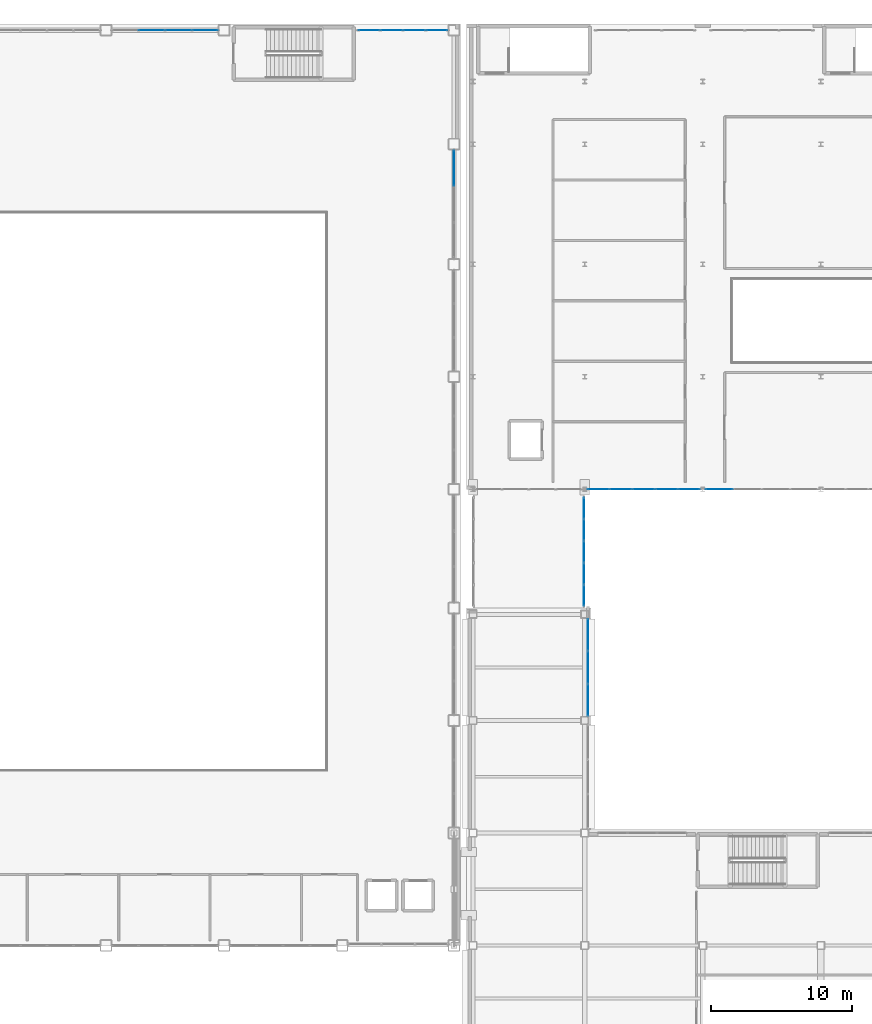
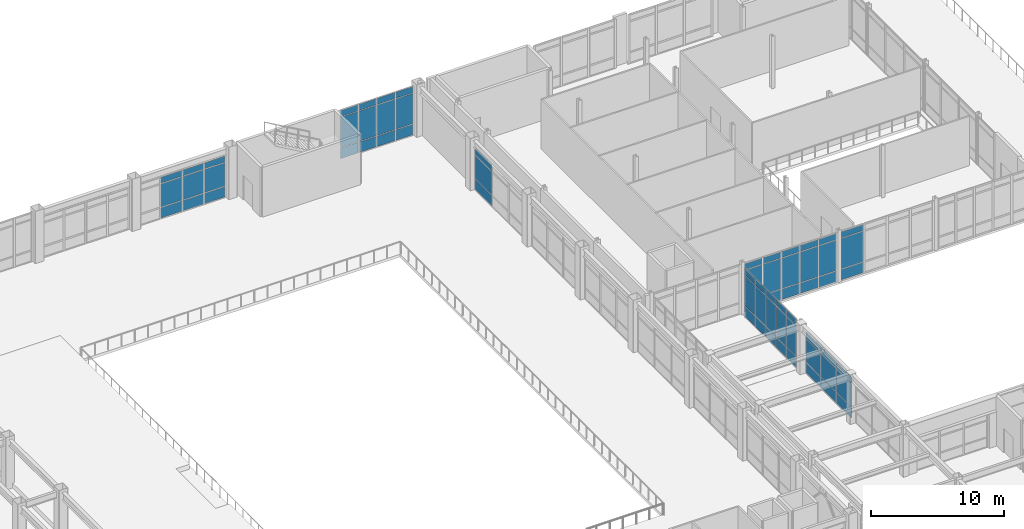
# One storey, part 122 of 154: 66 plates, 7 elements without a shape of their own.
"""IFC4 building model written with IfcOpenShell, lengths in metres."""

from ifc_helpers import new_model, si_unit, direction, frame, origin, origin_2d, place, context, subcontext, project, spatial, rectangle, extrude, material, layer, layer_set, type_object, element, aggregate, save


model = new_model("IFC4")

# Units and contexts
model_context = context("Model", 3, precision=1e-05, world=origin(), true_north=direction((0.0, 1.0)))
body_context = subcontext(model_context, "Body", "Model", "MODEL_VIEW")
ifc_project = project(units=[si_unit("LENGTHUNIT", "METRE"), si_unit("AREAUNIT", "SQUARE_METRE"), si_unit("VOLUMEUNIT", "CUBIC_METRE"), si_unit("PLANEANGLEUNIT", "RADIAN"), si_unit("MASSUNIT", "GRAM", prefix="KILO")], contexts=[model_context])

# Site, building, storey
site_placement = place(None, origin())
site = spatial("IfcSite", under=ifc_project, at=site_placement, CompositionType="ELEMENT")
building_placement = place(site_placement, origin())
building = spatial("IfcBuilding", under=site, at=building_placement, Name="Kazehara Bluff Congress Hotel", CompositionType="ELEMENT")
storey_placement = place(building_placement, frame((0.0, 0.0, 10.199951171875)))
storey = spatial("IfcBuildingStorey", under=building, at=storey_placement, Name="L02", CompositionType="ELEMENT", Elevation=10.199951171875)

# Curtain wall, plates
ifc_material_1 = material(Name="Anodised aluminium", Category="aluminium")
ifc_layer_1 = layer(ifc_material_1, 0.159912109375)
ifc_layer_set_1 = layer_set([ifc_layer_1], Name="Anodised aluminium")
curtain_wall_type_1 = type_object("IfcCurtainWallType", Name="TP-CW-10", PredefinedType="NOTDEFINED", material=ifc_layer_set_1)
curtain_wall_1_placement = place(storey_placement, origin())
curtain_wall_1 = element("IfcCurtainWall", 1, at=curtain_wall_1_placement, inside=storey, type_object=curtain_wall_type_1, Name="L02 curtain wall CW-10 CW-V1-L02-Y11355-3400", PredefinedType="NOTDEFINED")
ifc_material_2 = material(Name="Insulated low-E double glazing", Category="glass")
ifc_layer_2 = layer(ifc_material_2, 0.028076171875)
ifc_layer_set_2 = layer_set([ifc_layer_2], Name="Insulated low-E double glazing")
plate_type_1 = type_object("IfcPlateType", Name="TP-CWP-01", PredefinedType="CURTAIN_PANEL", material=ifc_layer_set_2)
plate_1_placement = place(storey_placement, frame((36.85009765625, 113.550048828125, 0.06494140625), z_axis=(0.0, 0.0, 1.0), x_axis=(1.0, 0.0, 0.0)))
plate_1 = element("IfcPlate", 2, at=plate_1_placement, type_object=plate_type_1, Name="CW-10 panel 2.1", PredefinedType="CURTAIN_PANEL", context=body_context, shape_type="SweptSolid", body=[
    extrude(rectangle(XDim=1.8349609375, YDim=0.028076171875, at=origin_2d()), origin(), (0.0, 0.0, 1.0), 0.952392578125),
])
plate_2_placement = place(storey_placement, frame((36.85009765625, 113.550048828125, 1.08251953125), z_axis=(0.0, 0.0, 1.0), x_axis=(1.0, 0.0, 0.0)))
plate_2 = element("IfcPlate", 3, at=plate_2_placement, type_object=plate_type_1, Name="CW-10 panel 2.2", PredefinedType="CURTAIN_PANEL", context=body_context, shape_type="SweptSolid", body=[
    extrude(rectangle(XDim=1.8349609375, YDim=0.028076171875, at=origin_2d()), origin(), (0.0, 0.0, 1.0), 2.1201171875),
])
plate_3_placement = place(storey_placement, frame((36.85009765625, 113.550048828125, 3.267578125), z_axis=(0.0, 0.0, 1.0), x_axis=(1.0, 0.0, 0.0)))
plate_3 = element("IfcPlate", 4, at=plate_3_placement, type_object=plate_type_1, Name="CW-10 panel 2.3", PredefinedType="CURTAIN_PANEL", context=body_context, shape_type="SweptSolid", body=[
    extrude(rectangle(XDim=1.8349609375, YDim=0.028076171875, at=origin_2d()), origin(), (0.0, 0.0, 1.0), 0.552490234375),
])
plate_4_placement = place(storey_placement, frame((38.75, 113.550048828125, 0.06494140625), z_axis=(0.0, 0.0, 1.0), x_axis=(1.0, 0.0, 0.0)))
plate_4 = element("IfcPlate", 5, at=plate_4_placement, type_object=plate_type_1, Name="CW-10 panel 3.1", PredefinedType="CURTAIN_PANEL", context=body_context, shape_type="SweptSolid", body=[
    extrude(rectangle(XDim=1.8349609375, YDim=0.028076171875, at=origin_2d()), origin(), (0.0, 0.0, 1.0), 0.952392578125),
])
plate_5_placement = place(storey_placement, frame((38.75, 113.550048828125, 1.08251953125), z_axis=(0.0, 0.0, 1.0), x_axis=(1.0, 0.0, 0.0)))
plate_5 = element("IfcPlate", 6, at=plate_5_placement, type_object=plate_type_1, Name="CW-10 panel 3.2", PredefinedType="CURTAIN_PANEL", context=body_context, shape_type="SweptSolid", body=[
    extrude(rectangle(XDim=1.8349609375, YDim=0.028076171875, at=origin_2d()), origin(), (0.0, 0.0, 1.0), 2.1201171875),
])
plate_6_placement = place(storey_placement, frame((38.75, 113.550048828125, 3.267578125), z_axis=(0.0, 0.0, 1.0), x_axis=(1.0, 0.0, 0.0)))
plate_6 = element("IfcPlate", 7, at=plate_6_placement, type_object=plate_type_1, Name="CW-10 panel 3.3", PredefinedType="CURTAIN_PANEL", context=body_context, shape_type="SweptSolid", body=[
    extrude(rectangle(XDim=1.8349609375, YDim=0.028076171875, at=origin_2d()), origin(), (0.0, 0.0, 1.0), 0.552490234375),
])
plate_7_placement = place(storey_placement, frame((40.6337890625, 113.550048828125, 0.06494140625), z_axis=(0.0, 0.0, 1.0), x_axis=(1.0, 0.0, 0.0)))
plate_7 = element("IfcPlate", 8, at=plate_7_placement, type_object=plate_type_1, Name="CW-10 panel 4.1", PredefinedType="CURTAIN_PANEL", context=body_context, shape_type="SweptSolid", body=[
    extrude(rectangle(XDim=1.802490234375, YDim=0.028076171875, at=origin_2d()), origin(), (0.0, 0.0, 1.0), 0.952392578125),
])
plate_8_placement = place(storey_placement, frame((40.6337890625, 113.550048828125, 1.08251953125), z_axis=(0.0, 0.0, 1.0), x_axis=(1.0, 0.0, 0.0)))
plate_8 = element("IfcPlate", 9, at=plate_8_placement, type_object=plate_type_1, Name="CW-10 panel 4.2", PredefinedType="CURTAIN_PANEL", context=body_context, shape_type="SweptSolid", body=[
    extrude(rectangle(XDim=1.802490234375, YDim=0.028076171875, at=origin_2d()), origin(), (0.0, 0.0, 1.0), 2.1201171875),
])
plate_9_placement = place(storey_placement, frame((40.6337890625, 113.550048828125, 3.267578125), z_axis=(0.0, 0.0, 1.0), x_axis=(1.0, 0.0, 0.0)))
plate_9 = element("IfcPlate", 10, at=plate_9_placement, type_object=plate_type_1, Name="CW-10 panel 4.3", PredefinedType="CURTAIN_PANEL", context=body_context, shape_type="SweptSolid", body=[
    extrude(rectangle(XDim=1.802490234375, YDim=0.028076171875, at=origin_2d()), origin(), (0.0, 0.0, 1.0), 0.552490234375),
])
aggregate(curtain_wall_1, [plate_1, plate_2, plate_3, plate_4, plate_5, plate_6, plate_7, plate_8, plate_9])

ifc_material_3 = material(Name="Anodised aluminium", Category="aluminium")
ifc_layer_3 = layer(ifc_material_3, 0.159912109375)
ifc_layer_set_3 = layer_set([ifc_layer_3], Name="Anodised aluminium")
curtain_wall_type_2 = type_object("IfcCurtainWallType", Name="TP-CW-24", PredefinedType="NOTDEFINED", material=ifc_layer_set_3)
curtain_wall_2_placement = place(storey_placement, origin())
curtain_wall_2 = element("IfcCurtainWall", 11, at=curtain_wall_2_placement, inside=storey, type_object=curtain_wall_type_2, Name="L02 curtain wall CW-24 CW-V1-L02-X5835-9730", PredefinedType="NOTDEFINED")
plate_10_placement = place(storey_placement, frame((58.35009765625, 103.7421875, 0.06494140625), z_axis=(0.0, 0.0, 1.0), x_axis=(0.0, 1.0, 0.0)))
plate_10 = element("IfcPlate", 12, at=plate_10_placement, type_object=plate_type_1, Name="CW-24 panel 3.1", PredefinedType="CURTAIN_PANEL", context=body_context, shape_type="SweptSolid", body=[
    extrude(rectangle(XDim=2.48583984375, YDim=0.028076171875, at=origin_2d()), origin(), (0.0, 0.0, 1.0), 0.952392578125),
])
plate_11_placement = place(storey_placement, frame((58.35009765625, 103.7421875, 1.08251953125), z_axis=(0.0, 0.0, 1.0), x_axis=(0.0, 1.0, 0.0)))
plate_11 = element("IfcPlate", 13, at=plate_11_placement, type_object=plate_type_1, Name="CW-24 panel 3.2", PredefinedType="CURTAIN_PANEL", context=body_context, shape_type="SweptSolid", body=[
    extrude(rectangle(XDim=2.48583984375, YDim=0.028076171875, at=origin_2d()), origin(), (0.0, 0.0, 1.0), 2.1201171875),
])
plate_12_placement = place(storey_placement, frame((58.35009765625, 103.7421875, 3.267578125), z_axis=(0.0, 0.0, 1.0), x_axis=(0.0, 1.0, 0.0)))
plate_12 = element("IfcPlate", 14, at=plate_12_placement, type_object=plate_type_1, Name="CW-24 panel 3.3", PredefinedType="CURTAIN_PANEL", context=body_context, shape_type="SweptSolid", body=[
    extrude(rectangle(XDim=2.48583984375, YDim=0.028076171875, at=origin_2d()), origin(), (0.0, 0.0, 1.0), 0.552490234375),
])
aggregate(curtain_wall_2, [plate_10, plate_11, plate_12])

ifc_material_4 = material(Name="Anodised aluminium", Category="aluminium")
ifc_layer_4 = layer(ifc_material_4, 0.159912109375)
ifc_layer_set_4 = layer_set([ifc_layer_4], Name="Anodised aluminium")
curtain_wall_type_3 = type_object("IfcCurtainWallType", Name="TP-CW-139", PredefinedType="NOTDEFINED", material=ifc_layer_set_4)
curtain_wall_3_placement = place(storey_placement, origin())
curtain_wall_3 = element("IfcCurtainWall", 15, at=curtain_wall_3_placement, inside=storey, type_object=curtain_wall_type_3, Name="L02 curtain wall CW-139 CW-ENC-V4-L02-6788-6822", PredefinedType="NOTDEFINED")
plate_13_placement = place(storey_placement, frame((67.8798828125, 70.5419921875, 0.06494140625), z_axis=(0.0, 0.0, 1.0), x_axis=(0.0, -1.0, 0.0)))
plate_13 = element("IfcPlate", 16, at=plate_13_placement, type_object=plate_type_1, Name="CW-139 panel 1.1", PredefinedType="CURTAIN_PANEL", context=body_context, shape_type="SweptSolid", body=[
    extrude(rectangle(XDim=2.23583984375, YDim=0.028076171875, at=origin_2d()), origin(), (0.0, 0.0, 1.0), 0.952392578125),
])
plate_14_placement = place(storey_placement, frame((67.8798828125, 70.5419921875, 1.08251953125), z_axis=(0.0, 0.0, 1.0), x_axis=(0.0, -1.0, 0.0)))
plate_14 = element("IfcPlate", 17, at=plate_14_placement, type_object=plate_type_1, Name="CW-139 panel 1.2", PredefinedType="CURTAIN_PANEL", context=body_context, shape_type="SweptSolid", body=[
    extrude(rectangle(XDim=2.23583984375, YDim=0.028076171875, at=origin_2d()), origin(), (0.0, 0.0, 1.0), 2.1201171875),
])
plate_15_placement = place(storey_placement, frame((67.8798828125, 70.5419921875, 3.267578125), z_axis=(0.0, 0.0, 1.0), x_axis=(0.0, -1.0, 0.0)))
plate_15 = element("IfcPlate", 18, at=plate_15_placement, type_object=plate_type_1, Name="CW-139 panel 1.3", PredefinedType="CURTAIN_PANEL", context=body_context, shape_type="SweptSolid", body=[
    extrude(rectangle(XDim=2.23583984375, YDim=0.028076171875, at=origin_2d()), origin(), (0.0, 0.0, 1.0), 0.552490234375),
])
plate_16_placement = place(storey_placement, frame((67.8798828125, 68.22509765625, 0.06494140625), z_axis=(0.0, 0.0, 1.0), x_axis=(0.0, -1.0, 0.0)))
plate_16 = element("IfcPlate", 19, at=plate_16_placement, type_object=plate_type_1, Name="CW-139 panel 2.1", PredefinedType="CURTAIN_PANEL", context=body_context, shape_type="SweptSolid", body=[
    extrude(rectangle(XDim=2.268310546875, YDim=0.028076171875, at=origin_2d()), origin(), (0.0, 0.0, 1.0), 0.952392578125),
])
plate_17_placement = place(storey_placement, frame((67.8798828125, 68.22509765625, 1.08251953125), z_axis=(0.0, 0.0, 1.0), x_axis=(0.0, -1.0, 0.0)))
plate_17 = element("IfcPlate", 20, at=plate_17_placement, type_object=plate_type_1, Name="CW-139 panel 2.2", PredefinedType="CURTAIN_PANEL", context=body_context, shape_type="SweptSolid", body=[
    extrude(rectangle(XDim=2.268310546875, YDim=0.028076171875, at=origin_2d()), origin(), (0.0, 0.0, 1.0), 2.1201171875),
])
plate_18_placement = place(storey_placement, frame((67.8798828125, 68.22509765625, 3.267578125), z_axis=(0.0, 0.0, 1.0), x_axis=(0.0, -1.0, 0.0)))
plate_18 = element("IfcPlate", 21, at=plate_18_placement, type_object=plate_type_1, Name="CW-139 panel 2.3", PredefinedType="CURTAIN_PANEL", context=body_context, shape_type="SweptSolid", body=[
    extrude(rectangle(XDim=2.268310546875, YDim=0.028076171875, at=origin_2d()), origin(), (0.0, 0.0, 1.0), 0.552490234375),
])
plate_19_placement = place(storey_placement, frame((67.8798828125, 65.907958984375, 0.06494140625), z_axis=(0.0, 0.0, 1.0), x_axis=(0.0, -1.0, 0.0)))
plate_19 = element("IfcPlate", 22, at=plate_19_placement, type_object=plate_type_1, Name="CW-139 panel 3.1", PredefinedType="CURTAIN_PANEL", context=body_context, shape_type="SweptSolid", body=[
    extrude(rectangle(XDim=2.23583984375, YDim=0.028076171875, at=origin_2d()), origin(), (0.0, 0.0, 1.0), 0.952392578125),
])
plate_20_placement = place(storey_placement, frame((67.8798828125, 65.907958984375, 1.08251953125), z_axis=(0.0, 0.0, 1.0), x_axis=(0.0, -1.0, 0.0)))
plate_20 = element("IfcPlate", 23, at=plate_20_placement, type_object=plate_type_1, Name="CW-139 panel 3.2", PredefinedType="CURTAIN_PANEL", context=body_context, shape_type="SweptSolid", body=[
    extrude(rectangle(XDim=2.23583984375, YDim=0.028076171875, at=origin_2d()), origin(), (0.0, 0.0, 1.0), 2.1201171875),
])
plate_21_placement = place(storey_placement, frame((67.8798828125, 65.907958984375, 3.267578125), z_axis=(0.0, 0.0, 1.0), x_axis=(0.0, -1.0, 0.0)))
plate_21 = element("IfcPlate", 24, at=plate_21_placement, type_object=plate_type_1, Name="CW-139 panel 3.3", PredefinedType="CURTAIN_PANEL", context=body_context, shape_type="SweptSolid", body=[
    extrude(rectangle(XDim=2.23583984375, YDim=0.028076171875, at=origin_2d()), origin(), (0.0, 0.0, 1.0), 0.552490234375),
])
aggregate(curtain_wall_3, [plate_13, plate_14, plate_15, plate_16, plate_17, plate_18, plate_19, plate_20, plate_21])

ifc_material_5 = material(Name="Anodised aluminium", Category="aluminium")
ifc_layer_5 = layer(ifc_material_5, 0.159912109375)
ifc_layer_set_5 = layer_set([ifc_layer_5], Name="Anodised aluminium")
curtain_wall_type_4 = type_object("IfcCurtainWallType", Name="TP-CW-03", PredefinedType="NOTDEFINED", material=ifc_layer_set_5)
curtain_wall_4_placement = place(storey_placement, origin())
curtain_wall_4 = element("IfcCurtainWall", 25, at=curtain_wall_4_placement, inside=storey, type_object=curtain_wall_type_4, Name="L02 curtain wall CW-03 CW-BRG-34-L02-B", PredefinedType="NOTDEFINED")
ifc_material_6 = material(Name="Insulated low-E double glazing", Category="glass")
ifc_layer_6 = layer(ifc_material_6, 0.031982421875)
ifc_layer_set_6 = layer_set([ifc_layer_6], Name="Insulated low-E double glazing")
plate_type_2 = type_object("IfcPlateType", Name="TP-CWP-02", PredefinedType="CURTAIN_PANEL", material=ifc_layer_set_6)
plate_22_placement = place(storey_placement, frame((67.60009765625, 73.347412109375, 0.06494140625), z_axis=(0.0, 0.0, 1.0), x_axis=(0.0, 1.0, 0.0)))
plate_22 = element("IfcPlate", 26, at=plate_22_placement, type_object=plate_type_2, Name="CW-03 panel 1.1", PredefinedType="CURTAIN_PANEL", context=body_context, shape_type="SweptSolid", body=[
    extrude(rectangle(XDim=1.455078125, YDim=0.031982421875, at=origin_2d()), origin(), (0.0, 0.0, 1.0), 0.952392578125),
])
plate_23_placement = place(storey_placement, frame((67.60009765625, 73.347412109375, 1.08251953125), z_axis=(0.0, 0.0, 1.0), x_axis=(0.0, 1.0, 0.0)))
plate_23 = element("IfcPlate", 27, at=plate_23_placement, type_object=plate_type_2, Name="CW-03 panel 1.2", PredefinedType="CURTAIN_PANEL", context=body_context, shape_type="SweptSolid", body=[
    extrude(rectangle(XDim=1.455078125, YDim=0.031982421875, at=origin_2d()), origin(), (0.0, 0.0, 1.0), 2.780029296875),
])
plate_24_placement = place(storey_placement, frame((67.60009765625, 73.347412109375, 3.927734375), z_axis=(0.0, 0.0, 1.0), x_axis=(0.0, 1.0, 0.0)))
plate_24 = element("IfcPlate", 28, at=plate_24_placement, type_object=plate_type_2, Name="CW-03 panel 1.3", PredefinedType="CURTAIN_PANEL", context=body_context, shape_type="SweptSolid", body=[
    extrude(rectangle(XDim=1.455078125, YDim=0.031982421875, at=origin_2d()), origin(), (0.0, 0.0, 1.0), 0.552490234375),
])
plate_25_placement = place(storey_placement, frame((67.60009765625, 74.889892578125, 0.06494140625), z_axis=(0.0, 0.0, 1.0), x_axis=(0.0, 1.0, 0.0)))
plate_25 = element("IfcPlate", 29, at=plate_25_placement, type_object=plate_type_2, Name="CW-03 panel 2.1", PredefinedType="CURTAIN_PANEL", context=body_context, shape_type="SweptSolid", body=[
    extrude(rectangle(XDim=1.489990234375, YDim=0.031982421875, at=origin_2d()), origin(), (0.0, 0.0, 1.0), 0.952392578125),
])
plate_26_placement = place(storey_placement, frame((67.60009765625, 74.889892578125, 1.08251953125), z_axis=(0.0, 0.0, 1.0), x_axis=(0.0, 1.0, 0.0)))
plate_26 = element("IfcPlate", 30, at=plate_26_placement, type_object=plate_type_2, Name="CW-03 panel 2.2", PredefinedType="CURTAIN_PANEL", context=body_context, shape_type="SweptSolid", body=[
    extrude(rectangle(XDim=1.489990234375, YDim=0.031982421875, at=origin_2d()), origin(), (0.0, 0.0, 1.0), 2.780029296875),
])
plate_27_placement = place(storey_placement, frame((67.60009765625, 74.889892578125, 3.927734375), z_axis=(0.0, 0.0, 1.0), x_axis=(0.0, 1.0, 0.0)))
plate_27 = element("IfcPlate", 31, at=plate_27_placement, type_object=plate_type_2, Name="CW-03 panel 2.3", PredefinedType="CURTAIN_PANEL", context=body_context, shape_type="SweptSolid", body=[
    extrude(rectangle(XDim=1.489990234375, YDim=0.031982421875, at=origin_2d()), origin(), (0.0, 0.0, 1.0), 0.552490234375),
])
plate_28_placement = place(storey_placement, frame((67.60009765625, 76.449951171875, 0.06494140625), z_axis=(0.0, 0.0, 1.0), x_axis=(0.0, 1.0, 0.0)))
plate_28 = element("IfcPlate", 32, at=plate_28_placement, type_object=plate_type_2, Name="CW-03 panel 3.1", PredefinedType="CURTAIN_PANEL", context=body_context, shape_type="SweptSolid", body=[
    extrude(rectangle(XDim=1.489990234375, YDim=0.031982421875, at=origin_2d()), origin(), (0.0, 0.0, 1.0), 0.952392578125),
])
plate_29_placement = place(storey_placement, frame((67.60009765625, 76.449951171875, 1.08251953125), z_axis=(0.0, 0.0, 1.0), x_axis=(0.0, 1.0, 0.0)))
plate_29 = element("IfcPlate", 33, at=plate_29_placement, type_object=plate_type_2, Name="CW-03 panel 3.2", PredefinedType="CURTAIN_PANEL", context=body_context, shape_type="SweptSolid", body=[
    extrude(rectangle(XDim=1.489990234375, YDim=0.031982421875, at=origin_2d()), origin(), (0.0, 0.0, 1.0), 2.780029296875),
])
plate_30_placement = place(storey_placement, frame((67.60009765625, 76.449951171875, 3.927734375), z_axis=(0.0, 0.0, 1.0), x_axis=(0.0, 1.0, 0.0)))
plate_30 = element("IfcPlate", 34, at=plate_30_placement, type_object=plate_type_2, Name="CW-03 panel 3.3", PredefinedType="CURTAIN_PANEL", context=body_context, shape_type="SweptSolid", body=[
    extrude(rectangle(XDim=1.489990234375, YDim=0.031982421875, at=origin_2d()), origin(), (0.0, 0.0, 1.0), 0.552490234375),
])
plate_31_placement = place(storey_placement, frame((67.60009765625, 78.010009765625, 0.06494140625), z_axis=(0.0, 0.0, 1.0), x_axis=(0.0, 1.0, 0.0)))
plate_31 = element("IfcPlate", 35, at=plate_31_placement, type_object=plate_type_2, Name="CW-03 panel 4.1", PredefinedType="CURTAIN_PANEL", context=body_context, shape_type="SweptSolid", body=[
    extrude(rectangle(XDim=1.489990234375, YDim=0.031982421875, at=origin_2d()), origin(), (0.0, 0.0, 1.0), 0.952392578125),
])
plate_32_placement = place(storey_placement, frame((67.60009765625, 78.010009765625, 1.08251953125), z_axis=(0.0, 0.0, 1.0), x_axis=(0.0, 1.0, 0.0)))
plate_32 = element("IfcPlate", 36, at=plate_32_placement, type_object=plate_type_2, Name="CW-03 panel 4.2", PredefinedType="CURTAIN_PANEL", context=body_context, shape_type="SweptSolid", body=[
    extrude(rectangle(XDim=1.489990234375, YDim=0.031982421875, at=origin_2d()), origin(), (0.0, 0.0, 1.0), 2.780029296875),
])
plate_33_placement = place(storey_placement, frame((67.60009765625, 78.010009765625, 3.927734375), z_axis=(0.0, 0.0, 1.0), x_axis=(0.0, 1.0, 0.0)))
plate_33 = element("IfcPlate", 37, at=plate_33_placement, type_object=plate_type_2, Name="CW-03 panel 4.3", PredefinedType="CURTAIN_PANEL", context=body_context, shape_type="SweptSolid", body=[
    extrude(rectangle(XDim=1.489990234375, YDim=0.031982421875, at=origin_2d()), origin(), (0.0, 0.0, 1.0), 0.552490234375),
])
plate_34_placement = place(storey_placement, frame((67.60009765625, 79.552490234375, 0.06494140625), z_axis=(0.0, 0.0, 1.0), x_axis=(0.0, 1.0, 0.0)))
plate_34 = element("IfcPlate", 38, at=plate_34_placement, type_object=plate_type_2, Name="CW-03 panel 5.1", PredefinedType="CURTAIN_PANEL", context=body_context, shape_type="SweptSolid", body=[
    extrude(rectangle(XDim=1.455078125, YDim=0.031982421875, at=origin_2d()), origin(), (0.0, 0.0, 1.0), 0.952392578125),
])
plate_35_placement = place(storey_placement, frame((67.60009765625, 79.552490234375, 1.08251953125), z_axis=(0.0, 0.0, 1.0), x_axis=(0.0, 1.0, 0.0)))
plate_35 = element("IfcPlate", 39, at=plate_35_placement, type_object=plate_type_2, Name="CW-03 panel 5.2", PredefinedType="CURTAIN_PANEL", context=body_context, shape_type="SweptSolid", body=[
    extrude(rectangle(XDim=1.455078125, YDim=0.031982421875, at=origin_2d()), origin(), (0.0, 0.0, 1.0), 2.780029296875),
])
plate_36_placement = place(storey_placement, frame((67.60009765625, 79.552490234375, 3.927734375), z_axis=(0.0, 0.0, 1.0), x_axis=(0.0, 1.0, 0.0)))
plate_36 = element("IfcPlate", 40, at=plate_36_placement, type_object=plate_type_2, Name="CW-03 panel 5.3", PredefinedType="CURTAIN_PANEL", context=body_context, shape_type="SweptSolid", body=[
    extrude(rectangle(XDim=1.455078125, YDim=0.031982421875, at=origin_2d()), origin(), (0.0, 0.0, 1.0), 0.552490234375),
])
aggregate(curtain_wall_4, [plate_22, plate_23, plate_24, plate_25, plate_26, plate_27, plate_28, plate_29, plate_30, plate_31, plate_32, plate_33, plate_34, plate_35, plate_36])

ifc_material_7 = material(Name="Anodised aluminium", Category="aluminium")
ifc_layer_7 = layer(ifc_material_7, 0.159912109375)
ifc_layer_set_7 = layer_set([ifc_layer_7], Name="Anodised aluminium")
curtain_wall_type_5 = type_object("IfcCurtainWallType", Name="TP-CW-11", PredefinedType="NOTDEFINED", material=ifc_layer_set_7)
curtain_wall_5_placement = place(storey_placement, origin())
curtain_wall_5 = element("IfcCurtainWall", 41, at=curtain_wall_5_placement, inside=storey, type_object=curtain_wall_type_5, Name="L02 curtain wall CW-11 CW-V1-L02-Y11355-5150", PredefinedType="NOTDEFINED")
plate_37_placement = place(storey_placement, frame((52.32373046875, 113.550048828125, 0.06005859375), z_axis=(0.0, 0.0, 1.0), x_axis=(1.0, 0.0, 0.0)))
plate_37 = element("IfcPlate", 42, at=plate_37_placement, type_object=plate_type_2, Name="CW-11 panel 1.1", PredefinedType="CURTAIN_PANEL", context=body_context, shape_type="SweptSolid", body=[
    extrude(rectangle(XDim=1.507568359375, YDim=0.031982421875, at=origin_2d()), origin(), (0.0, 0.0, 1.0), 0.9599609375),
])
plate_38_placement = place(storey_placement, frame((52.32373046875, 113.550048828125, 1.080078125), z_axis=(0.0, 0.0, 1.0), x_axis=(1.0, 0.0, 0.0)))
plate_38 = element("IfcPlate", 43, at=plate_38_placement, type_object=plate_type_2, Name="CW-11 panel 1.2", PredefinedType="CURTAIN_PANEL", context=body_context, shape_type="SweptSolid", body=[
    extrude(rectangle(XDim=1.507568359375, YDim=0.031982421875, at=origin_2d()), origin(), (0.0, 0.0, 1.0), 2.784912109375),
])
plate_39_placement = place(storey_placement, frame((52.32373046875, 113.550048828125, 3.925048828125), z_axis=(0.0, 0.0, 1.0), x_axis=(1.0, 0.0, 0.0)))
plate_39 = element("IfcPlate", 44, at=plate_39_placement, type_object=plate_type_2, Name="CW-11 panel 1.3", PredefinedType="CURTAIN_PANEL", context=body_context, shape_type="SweptSolid", body=[
    extrude(rectangle(XDim=1.507568359375, YDim=0.031982421875, at=origin_2d()), origin(), (0.0, 0.0, 1.0), 0.56005859375),
])
plate_40_placement = place(storey_placement, frame((53.918701171875, 113.550048828125, 0.06005859375), z_axis=(0.0, 0.0, 1.0), x_axis=(1.0, 0.0, 0.0)))
plate_40 = element("IfcPlate", 45, at=plate_40_placement, type_object=plate_type_2, Name="CW-11 panel 2.1", PredefinedType="CURTAIN_PANEL", context=body_context, shape_type="SweptSolid", body=[
    extrude(rectangle(XDim=1.54248046875, YDim=0.031982421875, at=origin_2d()), origin(), (0.0, 0.0, 1.0), 0.9599609375),
])
plate_41_placement = place(storey_placement, frame((53.918701171875, 113.550048828125, 1.080078125), z_axis=(0.0, 0.0, 1.0), x_axis=(1.0, 0.0, 0.0)))
plate_41 = element("IfcPlate", 46, at=plate_41_placement, type_object=plate_type_2, Name="CW-11 panel 2.2", PredefinedType="CURTAIN_PANEL", context=body_context, shape_type="SweptSolid", body=[
    extrude(rectangle(XDim=1.54248046875, YDim=0.031982421875, at=origin_2d()), origin(), (0.0, 0.0, 1.0), 2.784912109375),
])
plate_42_placement = place(storey_placement, frame((53.918701171875, 113.550048828125, 3.925048828125), z_axis=(0.0, 0.0, 1.0), x_axis=(1.0, 0.0, 0.0)))
plate_42 = element("IfcPlate", 47, at=plate_42_placement, type_object=plate_type_2, Name="CW-11 panel 2.3", PredefinedType="CURTAIN_PANEL", context=body_context, shape_type="SweptSolid", body=[
    extrude(rectangle(XDim=1.54248046875, YDim=0.031982421875, at=origin_2d()), origin(), (0.0, 0.0, 1.0), 0.56005859375),
])
plate_43_placement = place(storey_placement, frame((55.53125, 113.550048828125, 0.06005859375), z_axis=(0.0, 0.0, 1.0), x_axis=(1.0, 0.0, 0.0)))
plate_43 = element("IfcPlate", 48, at=plate_43_placement, type_object=plate_type_2, Name="CW-11 panel 3.1", PredefinedType="CURTAIN_PANEL", context=body_context, shape_type="SweptSolid", body=[
    extrude(rectangle(XDim=1.54248046875, YDim=0.031982421875, at=origin_2d()), origin(), (0.0, 0.0, 1.0), 0.9599609375),
])
plate_44_placement = place(storey_placement, frame((55.53125, 113.550048828125, 1.080078125), z_axis=(0.0, 0.0, 1.0), x_axis=(1.0, 0.0, 0.0)))
plate_44 = element("IfcPlate", 49, at=plate_44_placement, type_object=plate_type_2, Name="CW-11 panel 3.2", PredefinedType="CURTAIN_PANEL", context=body_context, shape_type="SweptSolid", body=[
    extrude(rectangle(XDim=1.54248046875, YDim=0.031982421875, at=origin_2d()), origin(), (0.0, 0.0, 1.0), 2.784912109375),
])
plate_45_placement = place(storey_placement, frame((55.53125, 113.550048828125, 3.925048828125), z_axis=(0.0, 0.0, 1.0), x_axis=(1.0, 0.0, 0.0)))
plate_45 = element("IfcPlate", 50, at=plate_45_placement, type_object=plate_type_2, Name="CW-11 panel 3.3", PredefinedType="CURTAIN_PANEL", context=body_context, shape_type="SweptSolid", body=[
    extrude(rectangle(XDim=1.54248046875, YDim=0.031982421875, at=origin_2d()), origin(), (0.0, 0.0, 1.0), 0.56005859375),
])
plate_46_placement = place(storey_placement, frame((57.126220703125, 113.550048828125, 0.06005859375), z_axis=(0.0, 0.0, 1.0), x_axis=(1.0, 0.0, 0.0)))
plate_46 = element("IfcPlate", 51, at=plate_46_placement, type_object=plate_type_2, Name="CW-11 panel 4.1", PredefinedType="CURTAIN_PANEL", context=body_context, shape_type="SweptSolid", body=[
    extrude(rectangle(XDim=1.507568359375, YDim=0.031982421875, at=origin_2d()), origin(), (0.0, 0.0, 1.0), 0.9599609375),
])
plate_47_placement = place(storey_placement, frame((57.126220703125, 113.550048828125, 1.080078125), z_axis=(0.0, 0.0, 1.0), x_axis=(1.0, 0.0, 0.0)))
plate_47 = element("IfcPlate", 52, at=plate_47_placement, type_object=plate_type_2, Name="CW-11 panel 4.2", PredefinedType="CURTAIN_PANEL", context=body_context, shape_type="SweptSolid", body=[
    extrude(rectangle(XDim=1.507568359375, YDim=0.031982421875, at=origin_2d()), origin(), (0.0, 0.0, 1.0), 2.784912109375),
])
plate_48_placement = place(storey_placement, frame((57.126220703125, 113.550048828125, 3.925048828125), z_axis=(0.0, 0.0, 1.0), x_axis=(1.0, 0.0, 0.0)))
plate_48 = element("IfcPlate", 53, at=plate_48_placement, type_object=plate_type_2, Name="CW-11 panel 4.3", PredefinedType="CURTAIN_PANEL", context=body_context, shape_type="SweptSolid", body=[
    extrude(rectangle(XDim=1.507568359375, YDim=0.031982421875, at=origin_2d()), origin(), (0.0, 0.0, 1.0), 0.56005859375),
])
aggregate(curtain_wall_5, [plate_37, plate_38, plate_39, plate_40, plate_41, plate_42, plate_43, plate_44, plate_45, plate_46, plate_47, plate_48])

ifc_material_8 = material(Name="Anodised aluminium", Category="aluminium")
ifc_layer_8 = layer(ifc_material_8, 0.159912109375)
ifc_layer_set_8 = layer_set([ifc_layer_8], Name="Anodised aluminium")
curtain_wall_type_6 = type_object("IfcCurtainWallType", Name="TP-CW-39", PredefinedType="NOTDEFINED", material=ifc_layer_set_8)
curtain_wall_6_placement = place(storey_placement, origin())
curtain_wall_6 = element("IfcCurtainWall", 54, at=curtain_wall_6_placement, inside=storey, type_object=curtain_wall_type_6, Name="L02 curtain wall CW-39 CW-V3-L02-Y8090-6780", PredefinedType="NOTDEFINED")
plate_49_placement = place(storey_placement, frame((68.62744140625, 80.89990234375, 0.06494140625), z_axis=(0.0, 0.0, 1.0), x_axis=(1.0, 0.0, 0.0)))
plate_49 = element("IfcPlate", 55, at=plate_49_placement, type_object=plate_type_2, Name="CW-39 panel 1.1", PredefinedType="CURTAIN_PANEL", context=body_context, shape_type="SweptSolid", body=[
    extrude(rectangle(XDim=1.514892578125, YDim=0.031982421875, at=origin_2d()), origin(), (0.0, 0.0, 1.0), 0.952392578125),
])
plate_50_placement = place(storey_placement, frame((68.62744140625, 80.89990234375, 1.08251953125), z_axis=(0.0, 0.0, 1.0), x_axis=(1.0, 0.0, 0.0)))
plate_50 = element("IfcPlate", 56, at=plate_50_placement, type_object=plate_type_2, Name="CW-39 panel 1.2", PredefinedType="CURTAIN_PANEL", context=body_context, shape_type="SweptSolid", body=[
    extrude(rectangle(XDim=1.514892578125, YDim=0.031982421875, at=origin_2d()), origin(), (0.0, 0.0, 1.0), 2.780029296875),
])
plate_51_placement = place(storey_placement, frame((68.62744140625, 80.89990234375, 3.927734375), z_axis=(0.0, 0.0, 1.0), x_axis=(1.0, 0.0, 0.0)))
plate_51 = element("IfcPlate", 57, at=plate_51_placement, type_object=plate_type_2, Name="CW-39 panel 1.3", PredefinedType="CURTAIN_PANEL", context=body_context, shape_type="SweptSolid", body=[
    extrude(rectangle(XDim=1.514892578125, YDim=0.031982421875, at=origin_2d()), origin(), (0.0, 0.0, 1.0), 0.552490234375),
])
plate_52_placement = place(storey_placement, frame((70.22998046875, 80.89990234375, 0.06494140625), z_axis=(0.0, 0.0, 1.0), x_axis=(1.0, 0.0, 0.0)))
plate_52 = element("IfcPlate", 58, at=plate_52_placement, type_object=plate_type_2, Name="CW-39 panel 2.1", PredefinedType="CURTAIN_PANEL", context=body_context, shape_type="SweptSolid", body=[
    extrude(rectangle(XDim=1.550048828125, YDim=0.031982421875, at=origin_2d()), origin(), (0.0, 0.0, 1.0), 0.952392578125),
])
plate_53_placement = place(storey_placement, frame((70.22998046875, 80.89990234375, 1.08251953125), z_axis=(0.0, 0.0, 1.0), x_axis=(1.0, 0.0, 0.0)))
plate_53 = element("IfcPlate", 59, at=plate_53_placement, type_object=plate_type_2, Name="CW-39 panel 2.2", PredefinedType="CURTAIN_PANEL", context=body_context, shape_type="SweptSolid", body=[
    extrude(rectangle(XDim=1.550048828125, YDim=0.031982421875, at=origin_2d()), origin(), (0.0, 0.0, 1.0), 2.780029296875),
])
plate_54_placement = place(storey_placement, frame((70.22998046875, 80.89990234375, 3.927734375), z_axis=(0.0, 0.0, 1.0), x_axis=(1.0, 0.0, 0.0)))
plate_54 = element("IfcPlate", 60, at=plate_54_placement, type_object=plate_type_2, Name="CW-39 panel 2.3", PredefinedType="CURTAIN_PANEL", context=body_context, shape_type="SweptSolid", body=[
    extrude(rectangle(XDim=1.550048828125, YDim=0.031982421875, at=origin_2d()), origin(), (0.0, 0.0, 1.0), 0.552490234375),
])
plate_55_placement = place(storey_placement, frame((71.85009765625, 80.89990234375, 0.06494140625), z_axis=(0.0, 0.0, 1.0), x_axis=(1.0, 0.0, 0.0)))
plate_55 = element("IfcPlate", 61, at=plate_55_placement, type_object=plate_type_2, Name="CW-39 panel 3.1", PredefinedType="CURTAIN_PANEL", context=body_context, shape_type="SweptSolid", body=[
    extrude(rectangle(XDim=1.550048828125, YDim=0.031982421875, at=origin_2d()), origin(), (0.0, 0.0, 1.0), 0.952392578125),
])
plate_56_placement = place(storey_placement, frame((71.85009765625, 80.89990234375, 1.08251953125), z_axis=(0.0, 0.0, 1.0), x_axis=(1.0, 0.0, 0.0)))
plate_56 = element("IfcPlate", 62, at=plate_56_placement, type_object=plate_type_2, Name="CW-39 panel 3.2", PredefinedType="CURTAIN_PANEL", context=body_context, shape_type="SweptSolid", body=[
    extrude(rectangle(XDim=1.550048828125, YDim=0.031982421875, at=origin_2d()), origin(), (0.0, 0.0, 1.0), 2.780029296875),
])
plate_57_placement = place(storey_placement, frame((71.85009765625, 80.89990234375, 3.927734375), z_axis=(0.0, 0.0, 1.0), x_axis=(1.0, 0.0, 0.0)))
plate_57 = element("IfcPlate", 63, at=plate_57_placement, type_object=plate_type_2, Name="CW-39 panel 3.3", PredefinedType="CURTAIN_PANEL", context=body_context, shape_type="SweptSolid", body=[
    extrude(rectangle(XDim=1.550048828125, YDim=0.031982421875, at=origin_2d()), origin(), (0.0, 0.0, 1.0), 0.552490234375),
])
plate_58_placement = place(storey_placement, frame((73.469970703125, 80.89990234375, 0.06494140625), z_axis=(0.0, 0.0, 1.0), x_axis=(1.0, 0.0, 0.0)))
plate_58 = element("IfcPlate", 64, at=plate_58_placement, type_object=plate_type_2, Name="CW-39 panel 4.1", PredefinedType="CURTAIN_PANEL", context=body_context, shape_type="SweptSolid", body=[
    extrude(rectangle(XDim=1.550048828125, YDim=0.031982421875, at=origin_2d()), origin(), (0.0, 0.0, 1.0), 0.952392578125),
])
plate_59_placement = place(storey_placement, frame((73.469970703125, 80.89990234375, 1.08251953125), z_axis=(0.0, 0.0, 1.0), x_axis=(1.0, 0.0, 0.0)))
plate_59 = element("IfcPlate", 65, at=plate_59_placement, type_object=plate_type_2, Name="CW-39 panel 4.2", PredefinedType="CURTAIN_PANEL", context=body_context, shape_type="SweptSolid", body=[
    extrude(rectangle(XDim=1.550048828125, YDim=0.031982421875, at=origin_2d()), origin(), (0.0, 0.0, 1.0), 2.780029296875),
])
plate_60_placement = place(storey_placement, frame((73.469970703125, 80.89990234375, 3.927734375), z_axis=(0.0, 0.0, 1.0), x_axis=(1.0, 0.0, 0.0)))
plate_60 = element("IfcPlate", 66, at=plate_60_placement, type_object=plate_type_2, Name="CW-39 panel 4.3", PredefinedType="CURTAIN_PANEL", context=body_context, shape_type="SweptSolid", body=[
    extrude(rectangle(XDim=1.550048828125, YDim=0.031982421875, at=origin_2d()), origin(), (0.0, 0.0, 1.0), 0.552490234375),
])
plate_61_placement = place(storey_placement, frame((75.072509765625, 80.89990234375, 0.06494140625), z_axis=(0.0, 0.0, 1.0), x_axis=(1.0, 0.0, 0.0)))
plate_61 = element("IfcPlate", 67, at=plate_61_placement, type_object=plate_type_2, Name="CW-39 panel 5.1", PredefinedType="CURTAIN_PANEL", context=body_context, shape_type="SweptSolid", body=[
    extrude(rectangle(XDim=1.514892578125, YDim=0.031982421875, at=origin_2d()), origin(), (0.0, 0.0, 1.0), 0.952392578125),
])
plate_62_placement = place(storey_placement, frame((75.072509765625, 80.89990234375, 1.08251953125), z_axis=(0.0, 0.0, 1.0), x_axis=(1.0, 0.0, 0.0)))
plate_62 = element("IfcPlate", 68, at=plate_62_placement, type_object=plate_type_2, Name="CW-39 panel 5.2", PredefinedType="CURTAIN_PANEL", context=body_context, shape_type="SweptSolid", body=[
    extrude(rectangle(XDim=1.514892578125, YDim=0.031982421875, at=origin_2d()), origin(), (0.0, 0.0, 1.0), 2.780029296875),
])
plate_63_placement = place(storey_placement, frame((75.072509765625, 80.89990234375, 3.927734375), z_axis=(0.0, 0.0, 1.0), x_axis=(1.0, 0.0, 0.0)))
plate_63 = element("IfcPlate", 69, at=plate_63_placement, type_object=plate_type_2, Name="CW-39 panel 5.3", PredefinedType="CURTAIN_PANEL", context=body_context, shape_type="SweptSolid", body=[
    extrude(rectangle(XDim=1.514892578125, YDim=0.031982421875, at=origin_2d()), origin(), (0.0, 0.0, 1.0), 0.552490234375),
])
aggregate(curtain_wall_6, [plate_49, plate_50, plate_51, plate_52, plate_53, plate_54, plate_55, plate_56, plate_57, plate_58, plate_59, plate_60, plate_61, plate_62, plate_63])

curtain_wall_7_placement = place(storey_placement, origin())
curtain_wall_7 = element("IfcCurtainWall", 70, at=curtain_wall_7_placement, inside=storey, type_object=curtain_wall_type_6, Name="L02 curtain wall CW-39 CW-V3-L02-Y8090-7620", PredefinedType="NOTDEFINED")
plate_64_placement = place(storey_placement, frame((77.22998046875, 80.89990234375, 0.06494140625), z_axis=(0.0, 0.0, 1.0), x_axis=(1.0, 0.0, 0.0)))
plate_64 = element("IfcPlate", 71, at=plate_64_placement, type_object=plate_type_2, Name="CW-39 panel 1.1", PredefinedType="CURTAIN_PANEL", context=body_context, shape_type="SweptSolid", body=[
    extrude(rectangle(XDim=1.919921875, YDim=0.031982421875, at=origin_2d()), origin(), (0.0, 0.0, 1.0), 0.952392578125),
])
plate_65_placement = place(storey_placement, frame((77.22998046875, 80.89990234375, 1.08251953125), z_axis=(0.0, 0.0, 1.0), x_axis=(1.0, 0.0, 0.0)))
plate_65 = element("IfcPlate", 72, at=plate_65_placement, type_object=plate_type_2, Name="CW-39 panel 1.2", PredefinedType="CURTAIN_PANEL", context=body_context, shape_type="SweptSolid", body=[
    extrude(rectangle(XDim=1.919921875, YDim=0.031982421875, at=origin_2d()), origin(), (0.0, 0.0, 1.0), 2.780029296875),
])
plate_66_placement = place(storey_placement, frame((77.22998046875, 80.89990234375, 3.927734375), z_axis=(0.0, 0.0, 1.0), x_axis=(1.0, 0.0, 0.0)))
plate_66 = element("IfcPlate", 73, at=plate_66_placement, type_object=plate_type_2, Name="CW-39 panel 1.3", PredefinedType="CURTAIN_PANEL", context=body_context, shape_type="SweptSolid", body=[
    extrude(rectangle(XDim=1.919921875, YDim=0.031982421875, at=origin_2d()), origin(), (0.0, 0.0, 1.0), 0.552490234375),
])
aggregate(curtain_wall_7, [plate_64, plate_65, plate_66])

save(model, "model.ifc")
